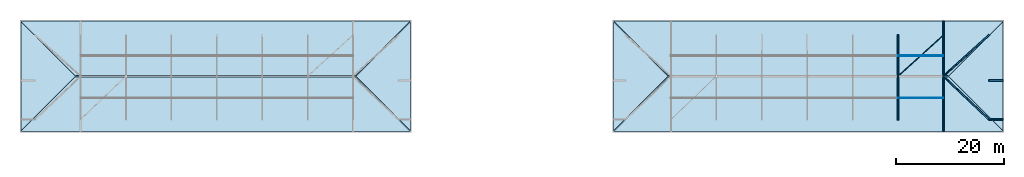
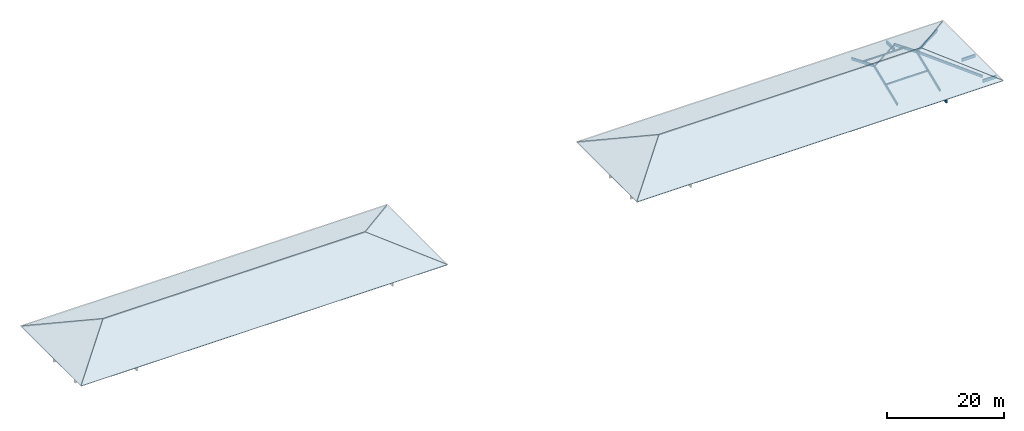
# One storey, part 2 of 5: 9 members, 8 slabs, 4 beams.
"""IFC4 building model written with IfcOpenShell, lengths in metres."""

from ifc_helpers import new_model, si_unit, direction, frame, origin, origin_2d, place, context, subcontext, project, spatial, polyline, rectangle, hollow_rectangle, outline, extrude, material, layer, layer_set, material_profile, profile_set, type_object, element, save


model = new_model("IFC4")

# Units and contexts
model_context = context("Model", 3, precision=1e-05, world=origin(), true_north=direction((0.0, 1.0)))
body_context = subcontext(model_context, "Body", "Model", "MODEL_VIEW")
ifc_project = project(units=[si_unit("LENGTHUNIT", "METRE"), si_unit("AREAUNIT", "SQUARE_METRE"), si_unit("VOLUMEUNIT", "CUBIC_METRE"), si_unit("PLANEANGLEUNIT", "RADIAN"), si_unit("MASSUNIT", "GRAM", prefix="KILO")], contexts=[model_context])

# Site, building, storey
site_placement = place(None, origin())
site = spatial("IfcSite", under=ifc_project, at=site_placement, CompositionType="ELEMENT")
building_placement = place(site_placement, origin())
building = spatial("IfcBuilding", under=site, at=building_placement, Name="Varncliffe General Hospital", CompositionType="ELEMENT")
storey_placement = place(building_placement, frame((0.0, 0.0, 37.199951171875)))
storey = spatial("IfcBuildingStorey", under=building, at=storey_placement, Name="RF", CompositionType="ELEMENT", Elevation=37.199951171875)

# Beams
ifc_material_1 = material(Name="Glulam GL28h (CSA O86 24f-EX, 30 MPa)", Category="wood")
ifc_material_profile_1 = material_profile(ifc_material_1, rectangle(XDim=0.264892578125, YDim=0.60791015625, at=origin_2d()), Name="GL 265x608")
ifc_profile_set_1 = profile_set([ifc_material_profile_1], Name="Glulam GL28h (CSA O86 24f-EX, 30 MPa)")
beam_type = type_object("IfcBeamType", Name="Beam B82 (Ext GL 265x608)", PredefinedType="BEAM", material=ifc_profile_set_1)
beam_1_placement = place(storey_placement, frame((168.0, 106.93994140625, -0.521240234375), z_axis=(0.0, 1.0, 0.0), x_axis=(-1.0, 0.0, 0.0)))
element("IfcBeam", 1, at=beam_1_placement, inside=storey, type_object=beam_type, Name="RF RF-V6-NE South Eave Lookout Bracket 2", PredefinedType="BEAM", context=body_context, shape_type="SweptSolid", body=[
    extrude(rectangle(XDim=0.264892578125, YDim=0.60791015625, at=origin_2d()), origin(), (0.0, 0.0, 1.0), 2.260009765625),
])
beam_2_placement = place(storey_placement, frame((168.0, 124.800048828125, -0.521240234375), z_axis=(0.0, 1.0, 0.0), x_axis=(-1.0, 0.0, 0.0)))
element("IfcBeam", 2, at=beam_2_placement, inside=storey, type_object=beam_type, Name="RF RF-V6-NE North Eave Lookout Bracket 2", PredefinedType="BEAM", context=body_context, shape_type="SweptSolid", body=[
    extrude(rectangle(XDim=0.264892578125, YDim=0.60791015625, at=origin_2d()), origin(), (0.0, 0.0, 1.0), 2.659912109375),
])
for number, where, z_axis, x_axis, name in (
    (3, (176.39990234375, 116.39990234375, -0.521240234375), (1.0, 0.0, 0.0), (0.0, 1.0, 0.0), "RF RF-V6-NE East Eave Lookout Bracket 1"),
    (4, (176.39990234375, 109.199951171875, -0.521240234375), (1.0, 0.0, 0.0), (0.0, 1.0, 0.0), "RF RF-V6-NE East Eave Lookout Bracket 2"),
):
    element("IfcBeam", number, at=place(storey_placement, frame(where, z_axis=z_axis, x_axis=x_axis)), inside=storey, type_object=beam_type, Name=name, PredefinedType="BEAM", context=body_context, shape_type="SweptSolid", body=[
        extrude(rectangle(XDim=0.264892578125, YDim=0.60791015625, at=origin_2d()), origin(), (0.0, 0.0, 1.0), 2.66015625),
    ])

# Members
ifc_material_2 = material(Name="Steel S355 (CSA G40.21 350W)", Category="steel")
ifc_material_profile_2 = material_profile(ifc_material_2, hollow_rectangle(XDim=0.152099609375, YDim=0.25390625, WallThickness=0.009521484375, InnerFilletRadius=0.010009765625, OuterFilletRadius=0.01904296875, at=origin_2d()), Name="HSS 254x152x9.5")
ifc_profile_set_2 = profile_set([ifc_material_profile_2], Name="Steel S355 (CSA G40.21 350W)")
member_type_1 = type_object("IfcMemberType", Name="Member MB25 (BRACE Int HSS 254x152x9.5)", PredefinedType="BRACE", material=ifc_profile_set_2)
member_1_placement = place(storey_placement, frame((168.0, 124.800048828125, 0.5556640625), z_axis=(-0.717692308738, -0.649356553247, 0.251503114761), x_axis=(0.670922353302, -0.741527609628, 0.0)))
element("IfcMember", 5, at=member_1_placement, inside=storey, type_object=member_type_1, Name="RF RF-V6-NE Lateral Wind Brace 2", PredefinedType="BRACE", context=body_context, shape_type="SweptSolid", body=[
    extrude(hollow_rectangle(XDim=0.152099609375, YDim=0.25390625, WallThickness=0.009521484375, InnerFilletRadius=0.010009765625, OuterFilletRadius=0.01904296875, at=origin_2d()), origin(), (0.0, 0.0, 1.0), 11.7041015625),
])
ifc_material_profile_3 = material_profile(ifc_material_1, rectangle(XDim=0.1298828125, YDim=0.303955078125, at=origin_2d()), Name="GL 130x304")
ifc_profile_set_3 = profile_set([ifc_material_profile_3], Name="Glulam GL28h (CSA O86 24f-EX, 30 MPa)")
member_type_2 = type_object("IfcMemberType", Name="Member MB40 (PURLIN Int GL 130x304)", PredefinedType="PURLIN", material=ifc_profile_set_3)
for number, where, z_axis, x_axis, name in (
    (6, (159.60009765625, 113.199951171875, 2.16796875), (1.0, 0.0, 0.0), (0.0, 1.0, 0.0), "RF RF-V6-NE Timber Purlin S6"),
    (7, (159.60009765625, 121.0, 2.249755859375), (1.0, 0.0, 0.0), (0.0, 1.0, 0.0), "RF RF-V6-NE Timber Purlin N6"),
):
    element("IfcMember", number, at=place(storey_placement, frame(where, z_axis=z_axis, x_axis=x_axis)), inside=storey, type_object=member_type_2, Name=name, PredefinedType="PURLIN", context=body_context, shape_type="SweptSolid", body=[
        extrude(rectangle(XDim=0.1298828125, YDim=0.303955078125, at=origin_2d()), origin(), (0.0, 0.0, 1.0), 8.39990234375),
    ])
ifc_material_profile_4 = material_profile(ifc_material_1, rectangle(XDim=0.215087890625, YDim=0.531982421875, at=origin_2d()), Name="GL 215x532")
ifc_profile_set_4 = profile_set([ifc_material_profile_4], Name="Glulam GL28h (CSA O86 24f-EX, 30 MPa)")
member_type_3 = type_object("IfcMemberType", Name="Member MB62 (RAFTER Int GL 215x532)", PredefinedType="RAFTER", material=ifc_profile_set_4)
member_2_placement = place(storey_placement, frame((176.39990234375, 109.199951171875, 0.403076171875), z_axis=(-0.696894935969, 0.663716243676, 0.271695042466), x_axis=(-0.689658867099, -0.724134412269, 0.0)))
element("IfcMember", 8, at=member_2_placement, inside=storey, type_object=member_type_3, Name="RF RF-V6-NE Hip Rafter SE", PredefinedType="RAFTER", context=body_context, shape_type="SweptSolid", body=[
    extrude(rectangle(XDim=0.215087890625, YDim=0.531982421875, at=origin_2d()), origin(), (0.0, 0.0, 1.0), 12.00146484375),
])
member_3_placement = place(storey_placement, frame((176.39990234375, 124.800048828125, 0.5673828125), z_axis=(-0.715044310758, -0.646971691578, 0.264838184463), x_axis=(0.670928628406, -0.741521931965, 0.0)))
element("IfcMember", 9, at=member_3_placement, inside=storey, type_object=member_type_3, Name="RF RF-V6-NE Hip Rafter NE", PredefinedType="RAFTER", context=body_context, shape_type="SweptSolid", body=[
    extrude(rectangle(XDim=0.215087890625, YDim=0.531982421875, at=origin_2d()), origin(), (0.0, 0.0, 1.0), 11.695556640625),
])
member_4_placement = place(storey_placement, frame((159.60009765625, 109.199951171875, 0.39208984375), z_axis=(0.0, 0.925461714413, 0.378841147653), x_axis=(-1.0, 0.0, 0.0)))
element("IfcMember", 10, at=member_4_placement, inside=storey, type_object=member_type_3, Name="RF RF-V6-NE South Sloped Glulam Rafter 6", PredefinedType="RAFTER", context=body_context, shape_type="SweptSolid", body=[
    extrude(rectangle(XDim=0.215087890625, YDim=0.531982421875, at=origin_2d()), origin(), (0.0, 0.0, 1.0), 8.579345703125),
])
member_5_placement = place(storey_placement, frame((159.60009765625, 124.800048828125, 0.5556640625), z_axis=(0.0, -0.925456237441, 0.378854526938), x_axis=(1.0, 0.0, 0.0)))
element("IfcMember", 11, at=member_5_placement, inside=storey, type_object=member_type_3, Name="RF RF-V6-NE North Sloped Glulam Rafter 6", PredefinedType="RAFTER", context=body_context, shape_type="SweptSolid", body=[
    extrude(rectangle(XDim=0.215087890625, YDim=0.531982421875, at=origin_2d()), origin(), (0.0, 0.0, 1.0), 8.1474609375),
])
member_6_placement = place(storey_placement, frame((168.0, 109.199951171875, 0.39208984375), z_axis=(0.0, 0.925461714413, 0.378841147653), x_axis=(-1.0, 0.0, 0.0)))
element("IfcMember", 12, at=member_6_placement, inside=storey, type_object=member_type_3, Name="RF RF-V6-NE South Sloped Glulam Rafter 7", PredefinedType="RAFTER", context=body_context, shape_type="SweptSolid", body=[
    extrude(rectangle(XDim=0.215087890625, YDim=0.531982421875, at=origin_2d()), origin(), (0.0, 0.0, 1.0), 8.579345703125),
])
member_7_placement = place(storey_placement, frame((168.0, 124.800048828125, 0.5556640625), z_axis=(0.0, -0.925456237441, 0.378854526938), x_axis=(1.0, 0.0, 0.0)))
element("IfcMember", 13, at=member_7_placement, inside=storey, type_object=member_type_3, Name="RF RF-V6-NE North Sloped Glulam Rafter 7", PredefinedType="RAFTER", context=body_context, shape_type="SweptSolid", body=[
    extrude(rectangle(XDim=0.215087890625, YDim=0.531982421875, at=origin_2d()), origin(), (0.0, 0.0, 1.0), 8.1474609375),
])

# Slabs
ifc_material_3 = material(Name="Concrete C35/45 (CSA A23.1 35 MPa)", Category="concrete")
ifc_layer_1 = layer(ifc_material_3, 0.219970703125)
ifc_layer_set_1 = layer_set([ifc_layer_1], Name="Concrete C35/45 (CSA A23.1 35 MPa)")
slab_type_1 = type_object("IfcSlabType", Name="Roof Slab SL11 (Ext 220mm)", PredefinedType="ROOF", material=ifc_layer_set_1)
slab_1_placement = place(storey_placement, frame((106.93994140625, 106.93994140625, 0.0), z_axis=(0.0, -0.378854485007, 0.925456254606), x_axis=(1.0, 0.0, 0.0)))
element("IfcSlab", 14, at=slab_1_placement, inside=storey, type_object=slab_type_1, Name="RF RF-V6-NE Hipped Roof Slab S", PredefinedType="ROOF", context=body_context, shape_type="SweptSolid", body=[
    extrude(outline(polyline([(0.0, 0.0), (72.1201171875, 0.0), (61.958984375, 10.979592781315203), (10.1611328125, 10.979592781315203), (0.0, 0.0)])), origin(), (0.0, 0.0, -1.0), 0.219970703125),
])
slab_2_placement = place(storey_placement, frame((179.06005859375, 127.4599609375, 0.0), z_axis=(0.0, 0.378862281339, 0.92545306298), x_axis=(-1.0, 0.0, 0.0)))
element("IfcSlab", 15, at=slab_2_placement, inside=storey, type_object=slab_type_1, Name="RF RF-V6-NE Hipped Roof Slab N", PredefinedType="ROOF", context=body_context, shape_type="SweptSolid", body=[
    extrude(outline(polyline([(0.0, 0.0), (72.1201171875, 0.0), (61.958984375, 10.979366840236393), (10.1611328125, 10.979366840236393), (0.0, 0.0)])), origin(), (0.0, 0.0, -1.0), 0.219970703125),
])
slab_3_placement = place(storey_placement, frame((106.93994140625, 127.320068359375, 0.0), z_axis=(-0.378850168183, 0.0, 0.925458021775), x_axis=(0.0, -1.0, 0.0)))
element("IfcSlab", 16, at=slab_3_placement, inside=storey, type_object=slab_type_1, Name="RF RF-V6-NE Hipped Roof Slab W", PredefinedType="ROOF", context=body_context, shape_type="SweptSolid", body=[
    extrude(outline(polyline([(0.0, 0.0), (20.239990234375, 0.0), (10.1201171875, 10.935252544559324), (0.0, 0.0)])), origin(), (0.0, 0.0, -1.0), 0.219970703125),
])
slab_4_placement = place(storey_placement, frame((179.06005859375, 107.080078125, 0.0), z_axis=(0.378850168183, 0.0, 0.925458021775), x_axis=(0.0, 1.0, 0.0)))
element("IfcSlab", 17, at=slab_4_placement, inside=storey, type_object=slab_type_1, Name="RF RF-V6-NE Hipped Roof Slab E", PredefinedType="ROOF", context=body_context, shape_type="SweptSolid", body=[
    extrude(outline(polyline([(0.0, 0.0), (20.239990234375, 0.0), (10.119873046875, 10.935252544559324), (0.0, 0.0)])), origin(), (0.0, 0.0, -1.0), 0.219970703125),
])
ifc_layer_2 = layer(ifc_material_3, 0.199951171875)
ifc_layer_set_2 = layer_set([ifc_layer_2], Name="Concrete C35/45 (CSA A23.1 35 MPa)")
slab_type_2 = type_object("IfcSlabType", Name="Roof Slab SL43 (Ext 200mm)", PredefinedType="ROOF", material=ifc_layer_set_2)
slab_5_placement = place(storey_placement, frame((-2.659912109375, 106.93994140625, 0.0), z_axis=(0.0, -0.378854485007, 0.925456254606), x_axis=(1.0, 0.0, 0.0)))
element("IfcSlab", 18, at=slab_5_placement, inside=storey, type_object=slab_type_2, Name="RF RF-V6-NW Hipped Roof Slab S", PredefinedType="ROOF", context=body_context, shape_type="SweptSolid", body=[
    extrude(outline(polyline([(0.0, 0.0), (72.119873046875, 0.0), (61.958984375, 10.979592781315203), (10.160888671875, 10.979592781315203), (0.0, 0.0)])), origin(), (0.0, 0.0, -1.0), 0.199951171875),
])
slab_6_placement = place(storey_placement, frame((69.4599609375, 127.4599609375, 0.0), z_axis=(0.0, 0.378862281339, 0.92545306298), x_axis=(-1.0, 0.0, 0.0)))
element("IfcSlab", 19, at=slab_6_placement, inside=storey, type_object=slab_type_2, Name="RF RF-V6-NW Hipped Roof Slab N", PredefinedType="ROOF", context=body_context, shape_type="SweptSolid", body=[
    extrude(outline(polyline([(0.0, 0.0), (72.119873046875, 0.0), (61.958984375, 10.979366840236393), (10.160888671875, 10.979366840236393), (0.0, 0.0)])), origin(), (0.0, 0.0, -1.0), 0.199951171875),
])
slab_7_placement = place(storey_placement, frame((-2.659912109375, 127.320068359375, 0.0), z_axis=(-0.378857996054, 0.0, 0.92545481728), x_axis=(0.0, -1.0, 0.0)))
element("IfcSlab", 20, at=slab_7_placement, inside=storey, type_object=slab_type_2, Name="RF RF-V6-NW Hipped Roof Slab W", PredefinedType="ROOF", context=body_context, shape_type="SweptSolid", body=[
    extrude(outline(polyline([(0.0, 0.0), (20.239990234375, 0.0), (10.1201171875, 10.935026603050646), (0.0, 0.0)])), origin(), (0.0, 0.0, -1.0), 0.199951171875),
])
slab_8_placement = place(storey_placement, frame((69.4599609375, 107.080078125, 0.0), z_axis=(0.378857996054, 0.0, 0.92545481728), x_axis=(0.0, 1.0, 0.0)))
element("IfcSlab", 21, at=slab_8_placement, inside=storey, type_object=slab_type_2, Name="RF RF-V6-NW Hipped Roof Slab E", PredefinedType="ROOF", context=body_context, shape_type="SweptSolid", body=[
    extrude(outline(polyline([(0.0, 0.0), (20.239990234375, 0.0), (10.119873046875, 10.935026603050646), (0.0, 0.0)])), origin(), (0.0, 0.0, -1.0), 0.199951171875),
])

save(model, "model.ifc")
